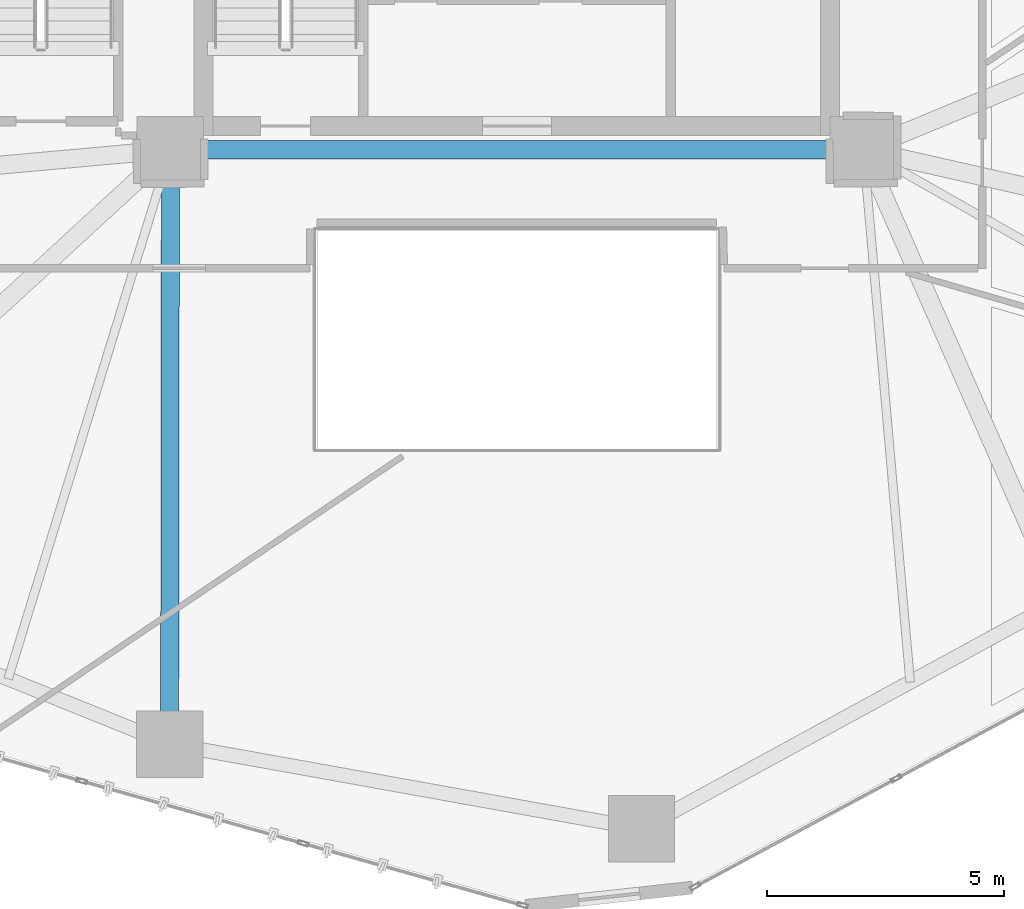
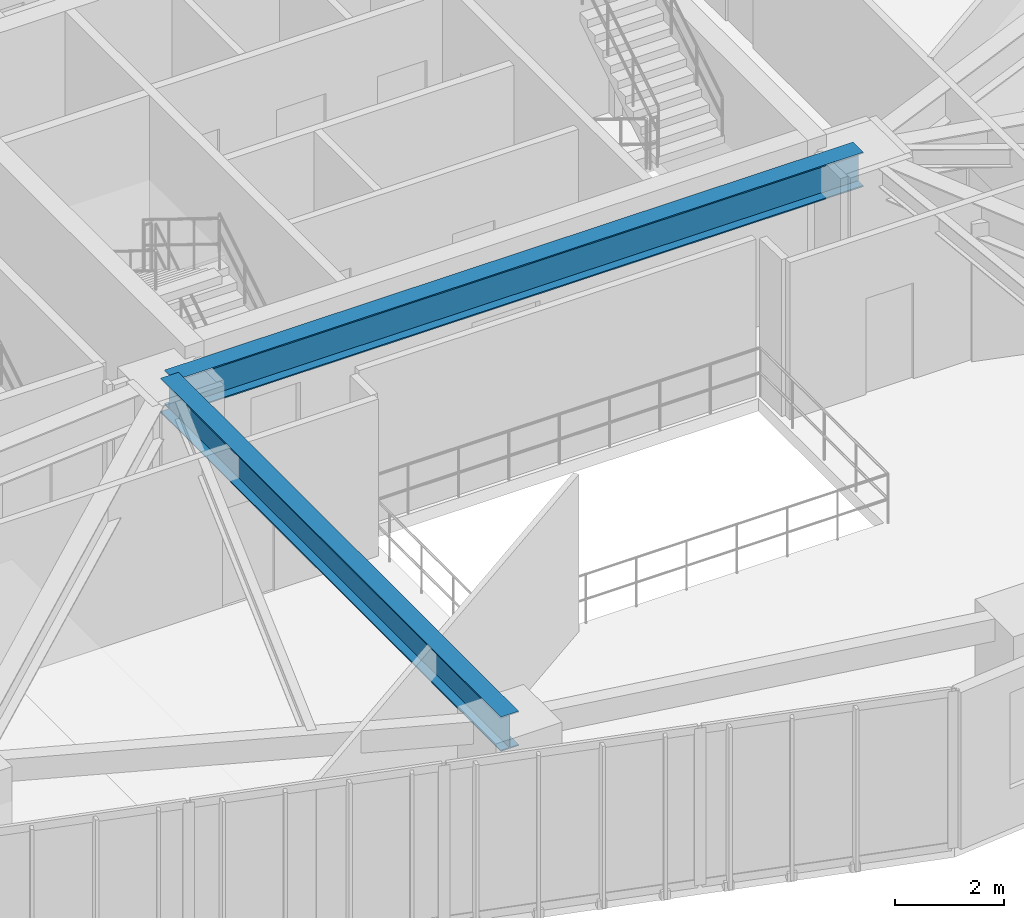
# One storey, part 6 of 24: 2 beams.
"""IFC4 building model written with IfcOpenShell, lengths in metres."""

from ifc_helpers import new_model, si_unit, direction, frame, origin, origin_2d, place, context, subcontext, project, spatial, i_section, extrude, material, material_profile, profile_set, type_object, element, save


model = new_model("IFC4")

# Units and contexts
model_context = context("Model", 3, precision=1e-05, world=origin(), true_north=direction((0.0, 1.0)))
body_context = subcontext(model_context, "Body", "Model", "MODEL_VIEW")
ifc_project = project(units=[si_unit("LENGTHUNIT", "METRE"), si_unit("AREAUNIT", "SQUARE_METRE"), si_unit("VOLUMEUNIT", "CUBIC_METRE"), si_unit("PLANEANGLEUNIT", "RADIAN"), si_unit("MASSUNIT", "GRAM", prefix="KILO")], contexts=[model_context])

# Site, building, storey
site_placement = place(None, origin())
site = spatial("IfcSite", under=ifc_project, at=site_placement, CompositionType="ELEMENT")
building_placement = place(site_placement, origin())
building = spatial("IfcBuilding", under=site, at=building_placement, Name="Talar Marvaseh", CompositionType="ELEMENT")
storey_placement = place(building_placement, frame((0.0, 0.0, 43.0)))
storey = spatial("IfcBuildingStorey", under=building, at=storey_placement, Name="L10", CompositionType="ELEMENT", Elevation=43.0)

# Beams
ifc_material = material(Name="Steel S355", Category="steel")
ifc_material_profile = material_profile(ifc_material, i_section(OverallWidth=0.381103515625, OverallDepth=0.77294921875, WebThickness=0.0166015625, FlangeThickness=0.027099609375, at=origin_2d()), Name="W760x257")
ifc_profile_set = profile_set([ifc_material_profile], Name="Steel S355")
beam_type = type_object("IfcBeamType", Name="Zone 1 Radial Floor Girder W760x257", PredefinedType="BEAM", material=ifc_profile_set)
beam_1_placement = place(storey_placement, frame((18.699951171875, 25.5, 3.133544921875), z_axis=(1.0, 0.0, 0.0), x_axis=(0.0, 1.0, 0.0)))
element("IfcBeam", 1, at=beam_1_placement, inside=storey, type_object=beam_type, Name="L10 Zone 1 Radial Floor Girder W760x257", PredefinedType="BEAM", context=body_context, shape_type="SweptSolid", body=[
    extrude(i_section(OverallWidth=0.381103515625, OverallDepth=0.77294921875, WebThickness=0.0166015625, FlangeThickness=0.027099609375, at=origin_2d()), origin(), (0.0, 0.0, 1.0), 14.60009765625),
])
beam_2_placement = place(storey_placement, frame((18.68310546875, 12.97900390625, 3.133544921875), z_axis=(0.001345395187, 0.999999094955, 0.0), x_axis=(-0.999999094955, 0.001345395187, 0.0)))
element("IfcBeam", 2, at=beam_2_placement, inside=storey, type_object=beam_type, Name="L10 Zone 1 Radial Floor Girder W760x257", PredefinedType="BEAM", context=body_context, shape_type="SweptSolid", body=[
    extrude(i_section(OverallWidth=0.381103515625, OverallDepth=0.77294921875, WebThickness=0.0166015625, FlangeThickness=0.027099609375, at=origin_2d()), origin(), (0.0, 0.0, 1.0), 12.52099609375),
])

save(model, "model.ifc")
